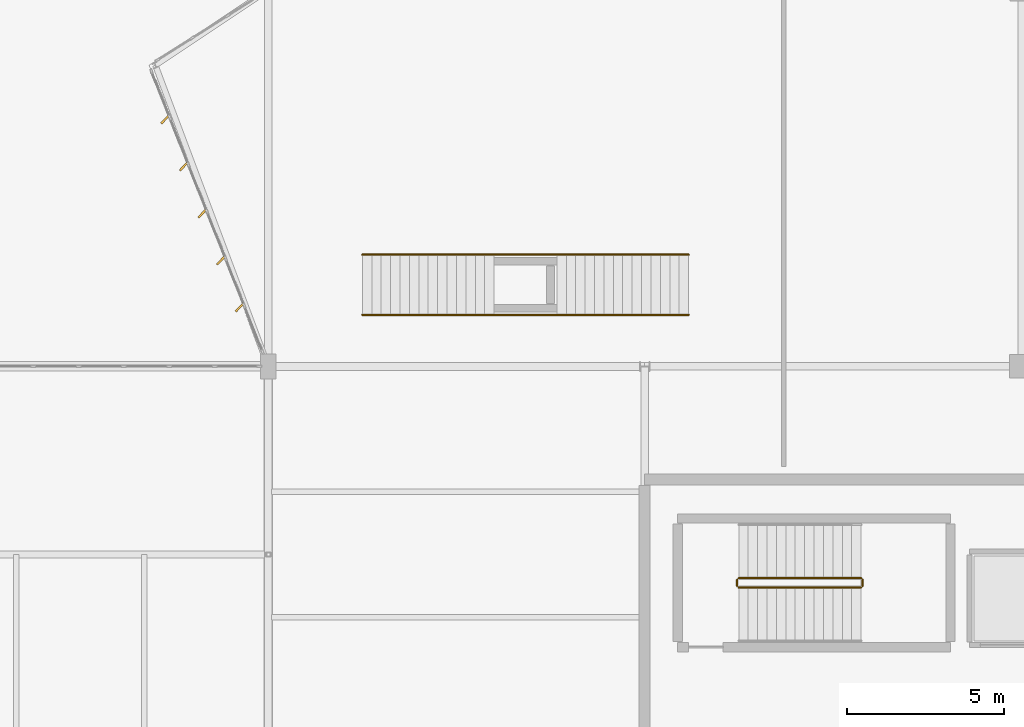
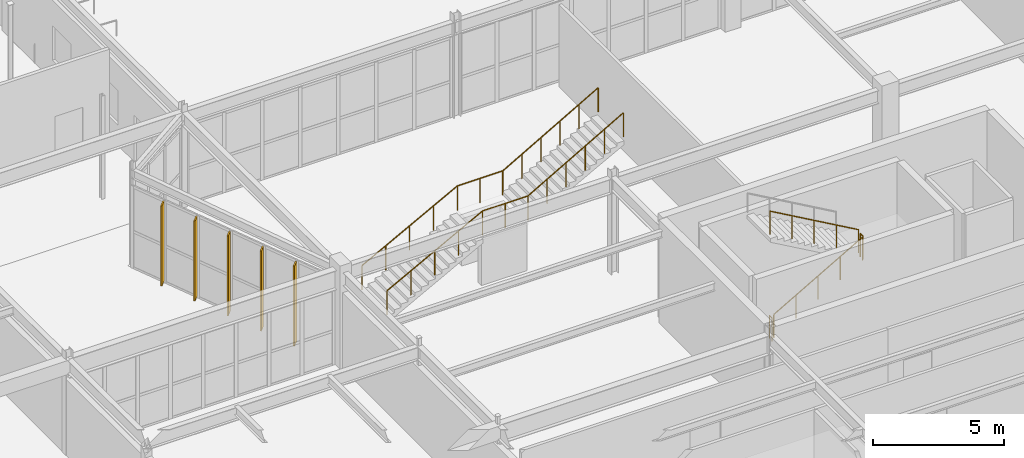
# One storey, part 189 of 199: 6 railings, 5 shading devices.
"""IFC4 building model written with IfcOpenShell, lengths in metres."""

from ifc_helpers import new_model, si_unit, direction, frame, origin, origin_2d, place, context, subcontext, project, spatial, rectangle, circle, extrude, material, layer, layer_set, type_object, element, save


model = new_model("IFC4")

# Units and contexts
model_context = context("Model", 3, precision=1e-05, world=origin(), true_north=direction((0.0, 1.0)))
body_context = subcontext(model_context, "Body", "Model", "MODEL_VIEW")
ifc_project = project(units=[si_unit("LENGTHUNIT", "METRE"), si_unit("AREAUNIT", "SQUARE_METRE"), si_unit("VOLUMEUNIT", "CUBIC_METRE"), si_unit("PLANEANGLEUNIT", "RADIAN"), si_unit("MASSUNIT", "GRAM", prefix="KILO")], contexts=[model_context])

# Site, building, storey
site_placement = place(None, origin())
site = spatial("IfcSite", under=ifc_project, at=site_placement, CompositionType="ELEMENT")
building_placement = place(site_placement, origin())
building = spatial("IfcBuilding", under=site, at=building_placement, Name="Tarnwether General Hospital", CompositionType="ELEMENT")
storey_placement = place(building_placement, origin())
storey = spatial("IfcBuildingStorey", under=building, at=storey_placement, Name="L00", CompositionType="ELEMENT", Elevation=0.0)

# Railings
ifc_material_1 = material(Name="Anodised aluminium", Category="aluminium")
railing_type_1 = type_object("IfcRailingType", Name="RL-GRD-EXT", PredefinedType="GUARDRAIL", material=ifc_material_1)
railing_1_placement = place(storey_placement, frame((147.0, 35.239990234375, 0.159912109375)))
element("IfcRailing", 1, at=railing_1_placement, inside=storey, type_object=railing_type_1, Name="Feature Stair Guard ST-13 1", PredefinedType="GUARDRAIL", context=body_context, shape_type="SweptSolid", body=[
    extrude(circle(Radius=0.02392578125, at=origin_2d()), frame((0.0, 0.0, 1.1259765625), z_axis=(0.882351521365, 0.0, 0.470590897432), x_axis=(0.0, 1.0, 0.0)), (0.0, 0.0, 1.0), 4.760009765625),
    extrude(circle(Radius=0.02392578125, at=origin_2d()), frame((4.199951171875, 0.0, 3.36572265625), z_axis=(1.0, 0.0, 0.0), x_axis=(0.0, 1.0, 0.0)), (0.0, 0.0, 1.0), 2.0),
    extrude(circle(Radius=0.02392578125, at=origin_2d()), frame((6.199951171875, 0.0, 3.36572265625), z_axis=(0.868227612608, 0.0, 0.496166114024), x_axis=(0.0, 1.0, 0.0)), (0.0, 0.0, 1.0), 4.83740234375),
    extrude(circle(Radius=0.02099609375, at=origin_2d()), origin(), (0.0, 0.0, 1.0), 1.101806640625),
    extrude(circle(Radius=0.02099609375, at=origin_2d()), frame((1.050048828125, 0.0, 0.56005859375)), (0.0, 0.0, 1.0), 1.101806640625),
    extrude(circle(Radius=0.02099609375, at=origin_2d()), frame((2.10009765625, 0.0, 1.1201171875)), (0.0, 0.0, 1.0), 1.101806640625),
    extrude(circle(Radius=0.02099609375, at=origin_2d()), frame((3.14990234375, 0.0, 1.679931640625)), (0.0, 0.0, 1.0), 1.101806640625),
    extrude(circle(Radius=0.02099609375, at=origin_2d()), frame((4.199951171875, 0.0, 2.239990234375)), (0.0, 0.0, 1.0), 1.101806640625),
    extrude(circle(Radius=0.02099609375, at=origin_2d()), frame((5.199951171875, 0.0, 2.239990234375)), (0.0, 0.0, 1.0), 1.101806640625),
    extrude(circle(Radius=0.02099609375, at=origin_2d()), frame((6.199951171875, 0.0, 2.239990234375)), (0.0, 0.0, 1.0), 1.101806640625),
    extrude(circle(Radius=0.02099609375, at=origin_2d()), frame((7.0400390625, 0.0, 2.719970703125)), (0.0, 0.0, 1.0), 1.101806640625),
    extrude(circle(Radius=0.02099609375, at=origin_2d()), frame((7.8798828125, 0.0, 3.199951171875)), (0.0, 0.0, 1.0), 1.101806640625),
    extrude(circle(Radius=0.02099609375, at=origin_2d()), frame((8.719970703125, 0.0, 3.68017578125)), (0.0, 0.0, 1.0), 1.101806640625),
    extrude(circle(Radius=0.02099609375, at=origin_2d()), frame((9.559814453125, 0.0, 4.16015625)), (0.0, 0.0, 1.0), 1.101806640625),
    extrude(circle(Radius=0.02099609375, at=origin_2d()), frame((10.39990234375, 0.0, 4.64013671875)), (0.0, 0.0, 1.0), 1.101806640625),
])
railing_2_placement = place(storey_placement, frame((147.0, 37.159912109375, 0.159912109375)))
element("IfcRailing", 2, at=railing_2_placement, inside=storey, type_object=railing_type_1, Name="Feature Stair Guard ST-13 2", PredefinedType="GUARDRAIL", context=body_context, shape_type="SweptSolid", body=[
    extrude(circle(Radius=0.02392578125, at=origin_2d()), frame((0.0, 0.0, 1.1259765625), z_axis=(0.882351521365, 0.0, 0.470590897432), x_axis=(0.0, 1.0, 0.0)), (0.0, 0.0, 1.0), 4.760009765625),
    extrude(circle(Radius=0.02392578125, at=origin_2d()), frame((4.199951171875, 0.0, 3.36572265625), z_axis=(1.0, 0.0, 0.0), x_axis=(0.0, 1.0, 0.0)), (0.0, 0.0, 1.0), 2.0),
    extrude(circle(Radius=0.02392578125, at=origin_2d()), frame((6.199951171875, 0.0, 3.36572265625), z_axis=(0.868227612608, 0.0, 0.496166114024), x_axis=(0.0, 1.0, 0.0)), (0.0, 0.0, 1.0), 4.83740234375),
    extrude(circle(Radius=0.02099609375, at=origin_2d()), origin(), (0.0, 0.0, 1.0), 1.101806640625),
    extrude(circle(Radius=0.02099609375, at=origin_2d()), frame((1.050048828125, 0.0, 0.56005859375)), (0.0, 0.0, 1.0), 1.101806640625),
    extrude(circle(Radius=0.02099609375, at=origin_2d()), frame((2.10009765625, 0.0, 1.1201171875)), (0.0, 0.0, 1.0), 1.101806640625),
    extrude(circle(Radius=0.02099609375, at=origin_2d()), frame((3.14990234375, 0.0, 1.679931640625)), (0.0, 0.0, 1.0), 1.101806640625),
    extrude(circle(Radius=0.02099609375, at=origin_2d()), frame((4.199951171875, 0.0, 2.239990234375)), (0.0, 0.0, 1.0), 1.101806640625),
    extrude(circle(Radius=0.02099609375, at=origin_2d()), frame((5.199951171875, 0.0, 2.239990234375)), (0.0, 0.0, 1.0), 1.101806640625),
    extrude(circle(Radius=0.02099609375, at=origin_2d()), frame((6.199951171875, 0.0, 2.239990234375)), (0.0, 0.0, 1.0), 1.101806640625),
    extrude(circle(Radius=0.02099609375, at=origin_2d()), frame((7.0400390625, 0.0, 2.719970703125)), (0.0, 0.0, 1.0), 1.101806640625),
    extrude(circle(Radius=0.02099609375, at=origin_2d()), frame((7.8798828125, 0.0, 3.199951171875)), (0.0, 0.0, 1.0), 1.101806640625),
    extrude(circle(Radius=0.02099609375, at=origin_2d()), frame((8.719970703125, 0.0, 3.68017578125)), (0.0, 0.0, 1.0), 1.101806640625),
    extrude(circle(Radius=0.02099609375, at=origin_2d()), frame((9.559814453125, 0.0, 4.16015625)), (0.0, 0.0, 1.0), 1.101806640625),
    extrude(circle(Radius=0.02099609375, at=origin_2d()), frame((10.39990234375, 0.0, 4.64013671875)), (0.0, 0.0, 1.0), 1.101806640625),
])
ifc_material_2 = material(Name="Anodised aluminium", Category="aluminium")
railing_type_2 = type_object("IfcRailingType", Name="RL-GRD-INT", PredefinedType="GUARDRAIL", material=ifc_material_2)
railing_3_placement = place(storey_placement, frame((159.0, 26.550048828125, 0.17138671875)))
element("IfcRailing", 3, at=railing_3_placement, inside=storey, type_object=railing_type_2, Name="L00 ST-05 stair guard 1", PredefinedType="GUARDRAIL", context=body_context, shape_type="SweptSolid", body=[
    extrude(circle(Radius=0.02392578125, at=origin_2d()), frame((0.0, 0.0, 1.076171875), z_axis=(0.868243142124, 0.0, 0.496138938357), x_axis=(0.0, 1.0, 0.0)), (0.0, 0.0, 1.0), 4.49169921875),
    extrude(circle(Radius=0.02099609375, at=origin_2d()), origin(), (0.0, 0.0, 1.0), 1.052001953125),
    extrude(circle(Radius=0.02099609375, at=origin_2d()), frame((0.97509765625, 0.0, 0.55712890625)), (0.0, 0.0, 1.0), 1.052001953125),
    extrude(circle(Radius=0.02099609375, at=origin_2d()), frame((1.949951171875, 0.0, 1.1142578125)), (0.0, 0.0, 1.0), 1.052001953125),
    extrude(circle(Radius=0.02099609375, at=origin_2d()), frame((2.9248046875, 0.0, 1.67138671875)), (0.0, 0.0, 1.0), 1.052001953125),
    extrude(circle(Radius=0.02099609375, at=origin_2d()), frame((3.89990234375, 0.0, 2.228515625)), (0.0, 0.0, 1.0), 1.052001953125),
])
railing_4_placement = place(storey_placement, frame((162.949951171875, 26.60009765625, 2.39990234375)))
element("IfcRailing", 4, at=railing_4_placement, inside=storey, type_object=railing_type_2, Name="L00 ST-05 stair guard 2", PredefinedType="GUARDRAIL", context=body_context, shape_type="SweptSolid", body=[
    extrude(circle(Radius=0.02392578125, at=origin_2d()), frame((0.0, 0.0, 1.076171875), z_axis=(0.0, 1.0, 0.0), x_axis=(-1.0, 0.0, 0.0)), (0.0, 0.0, 1.0), 0.199951171875),
    extrude(circle(Radius=0.02099609375, at=origin_2d()), origin(), (0.0, 0.0, 1.0), 1.052001953125),
    extrude(circle(Radius=0.02099609375, at=origin_2d()), frame((0.0, 0.199951171875, 0.0)), (0.0, 0.0, 1.0), 1.052001953125),
])
railing_5_placement = place(storey_placement, frame((162.89990234375, 26.85009765625, 2.571533203125)))
element("IfcRailing", 5, at=railing_5_placement, inside=storey, type_object=railing_type_2, Name="L00 ST-05 stair guard 3", PredefinedType="GUARDRAIL", context=body_context, shape_type="SweptSolid", body=[
    extrude(circle(Radius=0.02392578125, at=origin_2d()), frame((0.0, 0.0, 1.076171875), z_axis=(-0.868243142124, 0.0, 0.496138938357), x_axis=(0.0, -1.0, 0.0)), (0.0, 0.0, 1.0), 4.49169921875),
    extrude(circle(Radius=0.02099609375, at=origin_2d()), origin(), (0.0, 0.0, 1.0), 1.052001953125),
    extrude(circle(Radius=0.02099609375, at=origin_2d()), frame((-0.97509765625, 0.0, 0.55712890625)), (0.0, 0.0, 1.0), 1.052001953125),
    extrude(circle(Radius=0.02099609375, at=origin_2d()), frame((-1.949951171875, 0.0, 1.1142578125)), (0.0, 0.0, 1.0), 1.052001953125),
    extrude(circle(Radius=0.02099609375, at=origin_2d()), frame((-2.9248046875, 0.0, 1.67138671875)), (0.0, 0.0, 1.0), 1.052001953125),
    extrude(circle(Radius=0.02099609375, at=origin_2d()), frame((-3.89990234375, 0.0, 2.228515625)), (0.0, 0.0, 1.0), 1.052001953125),
])
railing_6_placement = place(storey_placement, frame((158.949951171875, 26.60009765625, 0.0)))
element("IfcRailing", 6, at=railing_6_placement, inside=storey, type_object=railing_type_2, Name="L00 ST-05 stair guard 4", PredefinedType="GUARDRAIL", context=body_context, shape_type="SweptSolid", body=[
    extrude(circle(Radius=0.02392578125, at=origin_2d()), frame((0.0, 0.0, 1.076171875), z_axis=(0.0, 1.0, 0.0), x_axis=(-1.0, 0.0, 0.0)), (0.0, 0.0, 1.0), 0.199951171875),
    extrude(circle(Radius=0.02099609375, at=origin_2d()), origin(), (0.0, 0.0, 1.0), 1.052001953125),
    extrude(circle(Radius=0.02099609375, at=origin_2d()), frame((0.0, 0.199951171875, 0.0)), (0.0, 0.0, 1.0), 1.052001953125),
])

# Shading devices
ifc_material_3 = material(Name="Champagne-bronze anodised aluminium", Category="aluminium")
ifc_layer = layer(ifc_material_3, 0.06005859375)
ifc_layer_set = layer_set([ifc_layer], Name="Champagne-bronze anodised aluminium")
shading_device_type = type_object("IfcShadingDeviceType", Name="SH-FIN-BRZ", PredefinedType="USERDEFINED", material=ifc_layer_set)
for number, where, z_axis, x_axis, name in (
    (7, (143.0849609375, 35.47802734375, 0.050048828125), (0.0, 0.0, 1.0), (-0.726574670971, 0.687087510804, 0.0), "Champagne-Bronze Brise-Soleil Fin 0113"),
    (8, (142.490966796875, 36.97607421875, 0.050048828125), (0.0, 0.0, 1.0), (-0.726574670971, 0.687087510804, 0.0), "Champagne-Bronze Brise-Soleil Fin 0114"),
    (9, (141.89794921875, 38.47412109375, 0.050048828125), (0.0, 0.0, 1.0), (-0.726574670971, 0.687087510804, 0.0), "Champagne-Bronze Brise-Soleil Fin 0115"),
    (10, (141.304931640625, 39.972900390625, 0.050048828125), (0.0, 0.0, 1.0), (-0.726574670971, 0.687087510804, 0.0), "Champagne-Bronze Brise-Soleil Fin 0116"),
    (11, (140.7119140625, 41.470947265625, 0.050048828125), (0.0, 0.0, 1.0), (-0.726574670971, 0.687087510804, 0.0), "Champagne-Bronze Brise-Soleil Fin 0117"),
):
    element("IfcShadingDevice", number, at=place(storey_placement, frame(where, z_axis=z_axis, x_axis=x_axis)), inside=storey, type_object=shading_device_type, Name=name, ObjectType="SOLAR FIN", PredefinedType="USERDEFINED", context=body_context, shape_type="SweptSolid", body=[
        extrude(rectangle(XDim=0.06005859375, YDim=0.360107421875, at=origin_2d()), origin(), (0.0, 0.0, 1.0), 3.72802734375),
    ])

save(model, "model.ifc")
